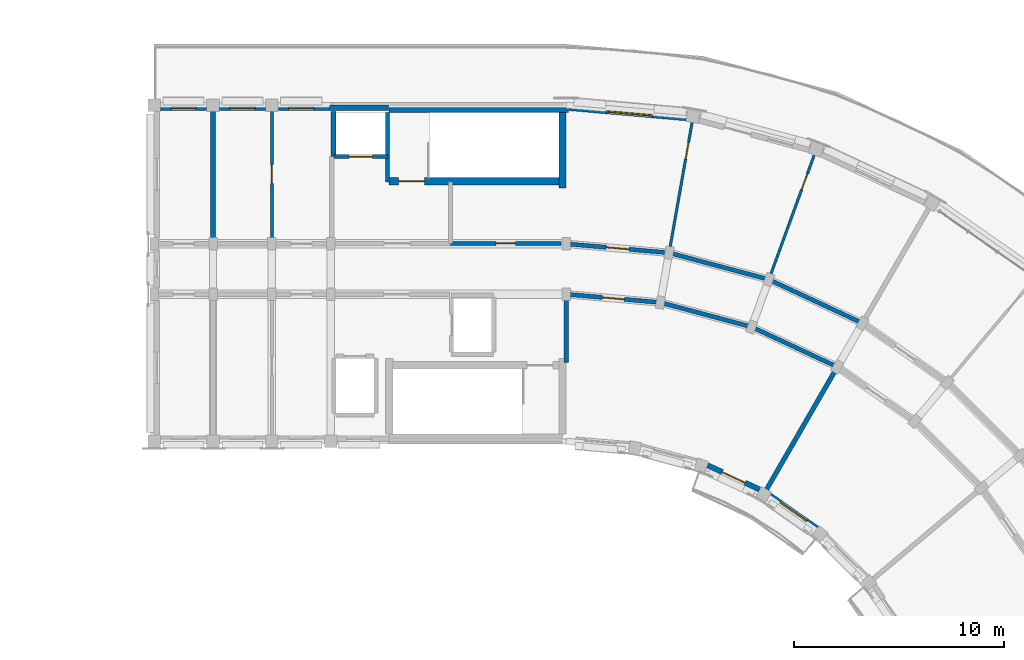
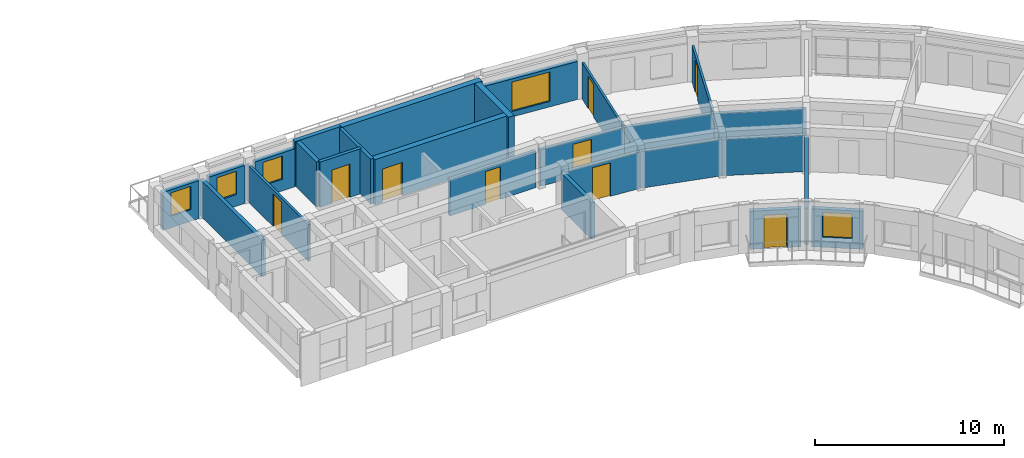
# One storey, part 18 of 32: 26 walls, 9 doors, 5 windows, 14 openings.
"""IFC4 building model written with IfcOpenShell, lengths in metres."""

from ifc_helpers import new_model, si_unit, direction, frame, frame_2d, origin, place, context, subcontext, project, spatial, rectangle, extrude, material, layer, layer_set, type_object, element, fill, save


model = new_model("IFC4")

# Units and contexts
model_context = context("Model", 3, precision=1e-05, world=origin(), true_north=direction((0.0, 1.0)))
body_context = subcontext(model_context, "Body", "Model", "MODEL_VIEW")
ifc_project = project(units=[si_unit("LENGTHUNIT", "METRE"), si_unit("AREAUNIT", "SQUARE_METRE"), si_unit("VOLUMEUNIT", "CUBIC_METRE"), si_unit("PLANEANGLEUNIT", "RADIAN"), si_unit("MASSUNIT", "GRAM", prefix="KILO")], contexts=[model_context])

# Site, building, storey
site_placement = place(None, origin())
site = spatial("IfcSite", under=ifc_project, at=site_placement, CompositionType="ELEMENT")
building_placement = place(site_placement, origin())
building = spatial("IfcBuilding", under=site, at=building_placement, Name="Kiranvali Square Residences", CompositionType="ELEMENT")
storey_placement = place(building_placement, frame((0.0, 0.0, 40.199951171875)))
storey = spatial("IfcBuildingStorey", under=building, at=storey_placement, Name="L12", CompositionType="ELEMENT", Elevation=40.199951171875)

# Wall, opening, door
ifc_material_1 = material(Name="Autoclaved aerated concrete blockwork masonry", Category="masonry")
ifc_layer_1 = layer(ifc_material_1, 0.199951171875)
ifc_layer_set_1 = layer_set([ifc_layer_1], Name="Autoclaved aerated concrete blockwork masonry")
wall_type_1 = type_object("IfcWallType", Name="WL-COR-200", PredefinedType="STANDARD", material=ifc_layer_set_1)
wall_1_placement = place(storey_placement, frame((119.800048828125, 113.60009765625, 0.0), z_axis=(0.0, 0.0, 1.0), x_axis=(0.996191949488, -0.087187153726, 0.0)))
wall_1 = element("IfcWall", 1, at=wall_1_placement, inside=storey, type_object=wall_type_1, Name="L12 architectural wall WL-L12-B-CCI-0", PredefinedType="STANDARD", context=body_context, shape_type="SweptSolid", body=[
    extrude(rectangle(XDim=4.4970703125, YDim=0.199951171875, at=frame_2d((2.24853515625, 0.0))), origin(), (0.0, 0.0, 1.0), 2.35205078125),
])
opening_1_placement = place(wall_1_placement, frame((1.728515625, 0.0, 0.0)))
opening_1 = element("IfcOpeningElement", 2, at=opening_1_placement, cuts=wall_1, Name="Opening FD-APT-60B", PredefinedType="OPENING", context=body_context, shape_type="SweptSolid", body=[
    extrude(rectangle(XDim=1.0400390625, YDim=2.14990234375, at=frame_2d((0.52001953125, 1.074951171875))), frame((0.0, 0.10986328125, 0.0), z_axis=(0.0, -1.0, 0.0), x_axis=(1.0, 0.0, 0.0)), (0.0, 0.0, 1.0), 0.219970703125),
])
ifc_material_2 = material(Name="Fire-rated acoustic hardwood and mineral-core door assembly", Category="wood")
door_type_1 = type_object("IfcDoorType", Name="DR-APT-1040", OperationType="NOTDEFINED", PredefinedType="DOOR", material=ifc_material_2)
door_1_placement = place(opening_1_placement, origin())
door_1 = element("IfcDoor", 3, at=door_1_placement, inside=storey, type_object=door_type_1, Name="L12 door DR-L12-1723 (DR-APT-1040)", OperationType="SINGLE_SWING_LEFT", OverallHeight=2.14990234375, OverallWidth=1.0400390625, PredefinedType="DOOR", context=body_context, shape_type="SweptSolid", body=[
    extrude(rectangle(XDim=1.0400390625, YDim=2.14990234375, at=frame_2d((0.52001953125, 1.074951171875))), frame((0.0, 0.02490234375, 0.0), z_axis=(0.0, -1.0, 0.0), x_axis=(1.0, 0.0, 0.0)), (0.0, 0.0, 1.0), 0.050048828125),
])
fill(opening_1, door_1)

wall_2_placement = place(storey_placement, frame((119.800048828125, 116.0, 0.0), z_axis=(0.0, 0.0, 1.0), x_axis=(0.996193663584, -0.087167566415, 0.0)))
wall_2 = element("IfcWall", 4, at=wall_2_placement, inside=storey, type_object=wall_type_1, Name="L12 architectural wall WL-L12-B-CCO-0", PredefinedType="STANDARD", context=body_context, shape_type="SweptSolid", body=[
    extrude(rectangle(XDim=4.91552734375, YDim=0.199951171875, at=frame_2d((2.457763671875, 0.0))), origin(), (0.0, 0.0, 1.0), 2.35205078125),
])
opening_2_placement = place(wall_2_placement, frame((1.917724609375, 0.0, 0.0)))
opening_2 = element("IfcOpeningElement", 5, at=opening_2_placement, cuts=wall_2, Name="Opening FD-APT-60C", PredefinedType="OPENING", context=body_context, shape_type="SweptSolid", body=[
    extrude(rectangle(XDim=1.080078125, YDim=2.14990234375, at=frame_2d((0.5400390625, 1.074951171875))), frame((0.0, 0.10986328125, 0.0), z_axis=(0.0, -1.0, 0.0), x_axis=(1.0, 0.0, 0.0)), (0.0, 0.0, 1.0), 0.219970703125),
])
door_type_2 = type_object("IfcDoorType", Name="DR-APT-1080", OperationType="NOTDEFINED", PredefinedType="DOOR", material=ifc_material_2)
door_2_placement = place(opening_2_placement, origin())
door_2 = element("IfcDoor", 6, at=door_2_placement, inside=storey, type_object=door_type_2, Name="L12 door DR-L12-1719 (DR-APT-1080)", OperationType="SINGLE_SWING_LEFT", OverallHeight=2.14990234375, OverallWidth=1.080078125, PredefinedType="DOOR", context=body_context, shape_type="SweptSolid", body=[
    extrude(rectangle(XDim=1.080078125, YDim=2.14990234375, at=frame_2d((0.5400390625, 1.074951171875))), frame((0.0, 0.02490234375, 0.0), z_axis=(0.0, -1.0, 0.0), x_axis=(1.0, 0.0, 0.0)), (0.0, 0.0, 1.0), 0.050048828125),
])
fill(opening_2, door_2)

# Walls
wall_3_placement = place(storey_placement, frame((124.280029296875, 113.2080078125, 0.0), z_axis=(0.0, 0.0, 1.0), x_axis=(0.965934240054, -0.258787642463, 0.0)))
element("IfcWall", 7, at=wall_3_placement, inside=storey, type_object=wall_type_1, Name="L12 architectural wall WL-L12-B-CCI-1", PredefinedType="STANDARD", context=body_context, shape_type="SweptSolid", body=[
    extrude(rectangle(XDim=4.497314453125, YDim=0.199951171875, at=frame_2d((2.24853515625, 0.0))), origin(), (0.0, 0.0, 1.0), 2.35205078125),
])
wall_4_placement = place(storey_placement, frame((124.69677734375, 115.571533203125, 0.0), z_axis=(0.0, 0.0, 1.0), x_axis=(0.965930095386, -0.258803112091, 0.0)))
element("IfcWall", 8, at=wall_4_placement, inside=storey, type_object=wall_type_1, Name="L12 architectural wall WL-L12-B-CCO-1", PredefinedType="STANDARD", context=body_context, shape_type="SweptSolid", body=[
    extrude(rectangle(XDim=4.915771484375, YDim=0.199951171875, at=frame_2d((2.4580078125, 0.0))), origin(), (0.0, 0.0, 1.0), 2.35205078125),
])
wall_5_placement = place(storey_placement, frame((128.6240234375, 112.044189453125, 0.0), z_axis=(0.0, 0.0, 1.0), x_axis=(0.906307919131, -0.422617978463, 0.0)))
element("IfcWall", 9, at=wall_5_placement, inside=storey, type_object=wall_type_1, Name="L12 architectural wall WL-L12-B-CCI-2", PredefinedType="STANDARD", context=body_context, shape_type="SweptSolid", body=[
    extrude(rectangle(XDim=4.497314453125, YDim=0.199951171875, at=frame_2d((2.24853515625, 0.0))), origin(), (0.0, 0.0, 1.0), 2.35205078125),
])
wall_6_placement = place(storey_placement, frame((129.445068359375, 114.29931640625, 0.0), z_axis=(0.0, 0.0, 1.0), x_axis=(0.906302381024, -0.422629854778, 0.0)))
element("IfcWall", 10, at=wall_6_placement, inside=storey, type_object=wall_type_1, Name="L12 architectural wall WL-L12-B-CCO-2", PredefinedType="STANDARD", context=body_context, shape_type="SweptSolid", body=[
    extrude(rectangle(XDim=4.915283203125, YDim=0.199951171875, at=frame_2d((2.45751953125, 0.0))), origin(), (0.0, 0.0, 1.0), 2.35205078125),
])
ifc_layer_2 = layer(ifc_material_1, 0.219970703125)
ifc_layer_set_2 = layer_set([ifc_layer_2], Name="Autoclaved aerated concrete blockwork masonry")
wall_type_2 = type_object("IfcWallType", Name="WL-DEM-220", PredefinedType="STANDARD", material=ifc_layer_set_2)
wall_7_placement = place(storey_placement, frame((103.0, 116.050048828125, 0.0), z_axis=(0.0, 0.0, 1.0), x_axis=(0.0, 1.0, 0.0)))
element("IfcWall", 11, at=wall_7_placement, inside=storey, type_object=wall_type_2, Name="L12 architectural wall WL-L12-B-A1TO1-2", PredefinedType="STANDARD", context=body_context, shape_type="SweptSolid", body=[
    extrude(rectangle(XDim=6.530029296875, YDim=0.219970703125, at=frame_2d((3.26513671875, 0.0))), origin(), (0.0, 0.0, 1.0), 2.35205078125),
])
wall_8_placement = place(storey_placement, frame((119.800048828125, 110.35009765625, 0.0), z_axis=(0.0, 0.0, 1.0), x_axis=(0.0, 1.0, 0.0)))
element("IfcWall", 12, at=wall_8_placement, inside=storey, type_object=wall_type_2, Name="L12 architectural wall WL-L12-B-RADI-0", PredefinedType="STANDARD", context=body_context, shape_type="SweptSolid", body=[
    extrude(rectangle(XDim=3.199951171875, YDim=0.219970703125, at=frame_2d((1.60009765625, 0.0))), origin(), (0.0, 0.0, 1.0), 2.35205078125),
])
wall_9_placement = place(storey_placement, frame((129.300048828125, 104.25439453125, 0.0), z_axis=(0.0, 0.0, 1.0), x_axis=(0.499997969693, 0.866026575979, 0.0)))
element("IfcWall", 13, at=wall_9_placement, inside=storey, type_object=wall_type_2, Name="L12 architectural wall WL-L12-B-RADI-3", PredefinedType="STANDARD", context=body_context, shape_type="SweptSolid", body=[
    extrude(rectangle(XDim=6.75, YDim=0.219970703125, at=frame_2d((3.375, 0.0))), origin(), (0.0, 0.0, 1.0), 2.35205078125),
])

# Wall, opening, window
ifc_material_3 = material(Name="Breathable lime-rendered clay brick masonry", Category="masonry")
ifc_layer_3 = layer(ifc_material_3, 0.25)
ifc_layer_set_3 = layer_set([ifc_layer_3], Name="Breathable lime-rendered clay brick masonry")
wall_type_3 = type_object("IfcWallType", Name="WL-EXT-250", PredefinedType="STANDARD", material=ifc_layer_set_3)
wall_10_placement = place(storey_placement, frame((119.93359375, 122.462890625, 0.0), z_axis=(0.0, 0.0, 1.0), x_axis=(0.996192628107, -0.087179399543, 0.0)))
wall_10 = element("IfcWall", 14, at=wall_10_placement, inside=storey, type_object=wall_type_3, Name="L12 exterior wall B-L12-CRV-00", PredefinedType="STANDARD", context=body_context, shape_type="SweptSolid", body=[
    extrude(rectangle(XDim=5.59521484375, YDim=0.25, at=frame_2d((2.797607421875, 0.0))), origin(), (0.0, 0.0, 1.0), 2.4521484375),
])
opening_3_placement = place(wall_10_placement, frame((1.7880859375, 0.0, 0.35205078125)))
opening_3 = element("IfcOpeningElement", 15, at=opening_3_placement, cuts=wall_10, Name="Opening W-20", PredefinedType="OPENING", context=body_context, shape_type="SweptSolid", body=[
    extrude(rectangle(XDim=2.199951171875, YDim=1.89990234375, at=frame_2d((1.10009765625, 0.949951171875))), frame((0.0, 0.135009765625, 0.0), z_axis=(0.0, -1.0, 0.0), x_axis=(1.0, 0.0, 0.0)), (0.0, 0.0, 1.0), 0.27001953125),
])
ifc_material_4 = material(Name="Solar-control low-e double glazing", Category="glass")
window_type_1 = type_object("IfcWindowType", Name="WIN-TER-2200x1900", PartitioningType="TRIPLE_PANEL_VERTICAL", PredefinedType="WINDOW", material=ifc_material_4)
window_1_placement = place(opening_3_placement, origin())
window_1 = element("IfcWindow", 16, at=window_1_placement, inside=storey, type_object=window_type_1, Name="L12 recessed window B-L12-CRV-00", OverallHeight=1.89990234375, OverallWidth=2.199951171875, PartitioningType="TRIPLE_PANEL_VERTICAL", PredefinedType="WINDOW", context=body_context, shape_type="SweptSolid", body=[
    extrude(rectangle(XDim=2.199951171875, YDim=1.89990234375, at=frame_2d((1.10009765625, 0.949951171875))), frame((0.0, 0.030029296875, 0.0), z_axis=(0.0, -1.0, 0.0), x_axis=(1.0, 0.0, 0.0)), (0.0, 0.0, 1.0), 0.06005859375),
])
fill(opening_3, window_1)

# Wall, opening, door
wall_11_placement = place(storey_placement, frame((126.535400390625, 105.461669921875, 0.0), z_axis=(0.0, 0.0, 1.0), x_axis=(0.906302358412, -0.422629903269, 0.0)))
wall_11 = element("IfcWall", 17, at=wall_11_placement, inside=storey, type_object=wall_type_3, Name="L12 exterior wall B-L12-GDN-02", PredefinedType="STANDARD", context=body_context, shape_type="SweptSolid", body=[
    extrude(rectangle(XDim=2.7197265625, YDim=0.25, at=frame_2d((1.35986328125, 0.0))), origin(), (0.0, 0.0, 1.0), 2.4521484375),
])
opening_4_placement = place(wall_11_placement, frame((0.759765625, 0.0, 0.0)))
opening_4 = element("IfcOpeningElement", 18, at=opening_4_placement, cuts=wall_11, Name="Opening ED-BAL-1", PredefinedType="OPENING", context=body_context, shape_type="SweptSolid", body=[
    extrude(rectangle(XDim=1.199951171875, YDim=2.14990234375, at=frame_2d((0.60009765625, 1.074951171875))), frame((0.0, 0.135009765625, 0.0), z_axis=(0.0, -1.0, 0.0), x_axis=(1.0, 0.0, 0.0)), (0.0, 0.0, 1.0), 0.27001953125),
])
ifc_material_5 = material(Name="Anodised bronze aluminium framing", Category="aluminium")
door_type_3 = type_object("IfcDoorType", Name="DR-BAL-1200", OperationType="NOTDEFINED", PredefinedType="DOOR", material=ifc_material_5)
door_3_placement = place(opening_4_placement, frame((1.199951171875, 0.0, 0.0), z_axis=(0.0, 0.0, 1.0), x_axis=(-1.0, 0.0, 0.0)))
door_3 = element("IfcDoor", 19, at=door_3_placement, inside=storey, type_object=door_type_3, Name="L12 balcony terrace door", OperationType="SINGLE_SWING_RIGHT", OverallHeight=2.14990234375, OverallWidth=1.199951171875, PredefinedType="DOOR", context=body_context, shape_type="SweptSolid", body=[
    extrude(rectangle(XDim=1.199951171875, YDim=2.14990234375, at=frame_2d((0.60009765625, 1.074951171875))), frame((0.0, 0.02490234375, 0.0), z_axis=(0.0, -1.0, 0.0), x_axis=(1.0, 0.0, 0.0)), (0.0, 0.0, 1.0), 0.050048828125),
])
fill(opening_4, door_3)

# Wall, opening, window
wall_12_placement = place(storey_placement, frame((129.5, 104.02392578125, 0.0), z_axis=(0.0, 0.0, 1.0), x_axis=(0.819126475299, -0.573612950921, 0.0)))
wall_12 = element("IfcWall", 20, at=wall_12_placement, inside=storey, type_object=wall_type_3, Name="L12 exterior wall B-L12-GDN-03", PredefinedType="STANDARD", context=body_context, shape_type="SweptSolid", body=[
    extrude(rectangle(XDim=2.7197265625, YDim=0.25, at=frame_2d((1.35986328125, 0.0))), origin(), (0.0, 0.0, 1.0), 2.4521484375),
])
opening_5_placement = place(wall_12_placement, frame((0.5849609375, 0.0, 0.652099609375)))
opening_5 = element("IfcOpeningElement", 21, at=opening_5_placement, cuts=wall_12, Name="Opening W-18", PredefinedType="OPENING", context=body_context, shape_type="SweptSolid", body=[
    extrude(rectangle(XDim=1.550048828125, YDim=1.60009765625, at=frame_2d((0.77490234375, 0.800048828125))), frame((0.0, 0.135009765625, 0.0), z_axis=(0.0, -1.0, 0.0), x_axis=(1.0, 0.0, 0.0)), (0.0, 0.0, 1.0), 0.27001953125),
])
window_type_2 = type_object("IfcWindowType", Name="WIN-GDN-1550x1600", PartitioningType="DOUBLE_PANEL_VERTICAL", PredefinedType="WINDOW", material=ifc_material_4)
window_2_placement = place(opening_5_placement, origin())
window_2 = element("IfcWindow", 22, at=window_2_placement, inside=storey, type_object=window_type_2, Name="L12 recessed window B-L12-GDN-03", OverallHeight=1.60009765625, OverallWidth=1.550048828125, PartitioningType="DOUBLE_PANEL_VERTICAL", PredefinedType="WINDOW", context=body_context, shape_type="SweptSolid", body=[
    extrude(rectangle(XDim=1.550048828125, YDim=1.60009765625, at=frame_2d((0.77490234375, 0.800048828125))), frame((0.0, 0.030029296875, 0.0), z_axis=(0.0, -1.0, 0.0), x_axis=(1.0, 0.0, 0.0)), (0.0, 0.0, 1.0), 0.06005859375),
])
fill(opening_5, window_2)

wall_13_placement = place(storey_placement, frame((108.54638671875, 122.47509765625, 0.0), z_axis=(0.0, 0.0, 1.0), x_axis=(-1.0, 0.0, 0.0)))
wall_13 = element("IfcWall", 23, at=wall_13_placement, inside=storey, type_object=wall_type_3, Name="L12 exterior wall B-L12-A1TO-0", PredefinedType="STANDARD", context=body_context, shape_type="SweptSolid", body=[
    extrude(rectangle(XDim=2.44287109375, YDim=0.25, at=frame_2d((1.221435546875, 0.0))), origin(), (0.0, 0.0, 1.0), 2.4521484375),
])
opening_6_placement = place(wall_13_placement, frame((0.74658203125, 0.0, 0.751953125)))
opening_6 = element("IfcOpeningElement", 24, at=opening_6_placement, cuts=wall_13, Name="Opening W-06", PredefinedType="OPENING", context=body_context, shape_type="SweptSolid", body=[
    extrude(rectangle(XDim=1.199951171875, YDim=1.5, at=frame_2d((0.60009765625, 0.75))), frame((0.0, 0.135009765625, 0.0), z_axis=(0.0, -1.0, 0.0), x_axis=(1.0, 0.0, 0.0)), (0.0, 0.0, 1.0), 0.27001953125),
])
window_type_3 = type_object("IfcWindowType", Name="WIN-RES-1200x1500", PartitioningType="SINGLE_PANEL", PredefinedType="WINDOW", material=ifc_material_4)
window_3_placement = place(opening_6_placement, origin())
window_3 = element("IfcWindow", 25, at=window_3_placement, inside=storey, type_object=window_type_3, Name="L12 recessed window B-L12-A1TO-0", OverallHeight=1.5, OverallWidth=1.199951171875, PartitioningType="SINGLE_PANEL", PredefinedType="WINDOW", context=body_context, shape_type="SweptSolid", body=[
    extrude(rectangle(XDim=1.199951171875, YDim=1.5, at=frame_2d((0.60009765625, 0.75))), frame((0.0, 0.030029296875, 0.0), z_axis=(0.0, -1.0, 0.0), x_axis=(1.0, 0.0, 0.0)), (0.0, 0.0, 1.0), 0.06005859375),
])
fill(opening_6, window_3)

wall_14_placement = place(storey_placement, frame((105.49658203125, 122.47509765625, 0.0), z_axis=(0.0, 0.0, 1.0), x_axis=(-1.0, 0.0, 0.0)))
wall_14 = element("IfcWall", 26, at=wall_14_placement, inside=storey, type_object=wall_type_3, Name="L12 exterior wall B-L12-A1TO-1", PredefinedType="STANDARD", context=body_context, shape_type="SweptSolid", body=[
    extrude(rectangle(XDim=2.193115234375, YDim=0.25, at=frame_2d((1.0966796875, 0.0))), origin(), (0.0, 0.0, 1.0), 2.4521484375),
])
opening_7_placement = place(wall_14_placement, frame((0.49658203125, 0.0, 0.751953125)))
opening_7 = element("IfcOpeningElement", 27, at=opening_7_placement, cuts=wall_14, Name="Opening W-06", PredefinedType="OPENING", context=body_context, shape_type="SweptSolid", body=[
    extrude(rectangle(XDim=1.199951171875, YDim=1.5, at=frame_2d((0.60009765625, 0.75))), frame((0.0, 0.135009765625, 0.0), z_axis=(0.0, -1.0, 0.0), x_axis=(1.0, 0.0, 0.0)), (0.0, 0.0, 1.0), 0.27001953125),
])
window_4_placement = place(opening_7_placement, origin())
window_4 = element("IfcWindow", 28, at=window_4_placement, inside=storey, type_object=window_type_3, Name="L12 recessed window B-L12-A1TO-1", OverallHeight=1.5, OverallWidth=1.199951171875, PartitioningType="SINGLE_PANEL", PredefinedType="WINDOW", context=body_context, shape_type="SweptSolid", body=[
    extrude(rectangle(XDim=1.199951171875, YDim=1.5, at=frame_2d((0.60009765625, 0.75))), frame((0.0, 0.030029296875, 0.0), z_axis=(0.0, -1.0, 0.0), x_axis=(1.0, 0.0, 0.0)), (0.0, 0.0, 1.0), 0.06005859375),
])
fill(opening_7, window_4)

wall_15_placement = place(storey_placement, frame((102.696533203125, 122.47509765625, 0.0), z_axis=(0.0, 0.0, 1.0), x_axis=(-1.0, 0.0, 0.0)))
wall_15 = element("IfcWall", 29, at=wall_15_placement, inside=storey, type_object=wall_type_3, Name="L12 exterior wall B-L12-A1TO-2", PredefinedType="STANDARD", context=body_context, shape_type="SweptSolid", body=[
    extrude(rectangle(XDim=2.193115234375, YDim=0.25, at=frame_2d((1.0966796875, 0.0))), origin(), (0.0, 0.0, 1.0), 2.4521484375),
])
opening_8_placement = place(wall_15_placement, frame((0.49658203125, 0.0, 0.751953125)))
opening_8 = element("IfcOpeningElement", 30, at=opening_8_placement, cuts=wall_15, Name="Opening W-06", PredefinedType="OPENING", context=body_context, shape_type="SweptSolid", body=[
    extrude(rectangle(XDim=1.199951171875, YDim=1.5, at=frame_2d((0.60009765625, 0.75))), frame((0.0, 0.135009765625, 0.0), z_axis=(0.0, -1.0, 0.0), x_axis=(1.0, 0.0, 0.0)), (0.0, 0.0, 1.0), 0.27001953125),
])
window_5_placement = place(opening_8_placement, origin())
window_5 = element("IfcWindow", 31, at=window_5_placement, inside=storey, type_object=window_type_3, Name="L12 recessed window B-L12-A1TO-2", OverallHeight=1.5, OverallWidth=1.199951171875, PartitioningType="SINGLE_PANEL", PredefinedType="WINDOW", context=body_context, shape_type="SweptSolid", body=[
    extrude(rectangle(XDim=1.199951171875, YDim=1.5, at=frame_2d((0.60009765625, 0.75))), frame((0.0, 0.030029296875, 0.0), z_axis=(0.0, -1.0, 0.0), x_axis=(1.0, 0.0, 0.0)), (0.0, 0.0, 1.0), 0.06005859375),
])
fill(opening_8, window_5)

# Wall, opening, door
ifc_layer_4 = layer(ifc_material_1, 0.199951171875)
ifc_layer_set_4 = layer_set([ifc_layer_4], Name="Autoclaved aerated concrete blockwork masonry")
wall_type_4 = type_object("IfcWallType", Name="WL-FFL-200", PredefinedType="STANDARD", material=ifc_layer_set_4)
wall_16_placement = place(storey_placement, frame((111.300048828125, 120.14990234375, 0.0), z_axis=(0.0, 0.0, 1.0), x_axis=(-1.0, 0.0, 0.0)))
wall_16 = element("IfcWall", 32, at=wall_16_placement, inside=storey, type_object=wall_type_4, Name="L12 architectural wall WL-L12-B-FF-LFT", PredefinedType="STANDARD", context=body_context, shape_type="SweptSolid", body=[
    extrude(rectangle(XDim=2.550048828125, YDim=0.199951171875, at=frame_2d((1.27490234375, 0.0))), origin(), (0.0, 0.0, 1.0), 2.91015625),
])
opening_9_placement = place(wall_16_placement, frame((0.72509765625, 0.0, 0.0)))
opening_9 = element("IfcOpeningElement", 33, at=opening_9_placement, cuts=wall_16, Name="Opening LD-FF-110", PredefinedType="OPENING", context=body_context, shape_type="SweptSolid", body=[
    extrude(rectangle(XDim=1.10009765625, YDim=2.14990234375, at=frame_2d((0.550048828125, 1.074951171875))), frame((0.0, 0.10986328125, 0.0), z_axis=(0.0, -1.0, 0.0), x_axis=(1.0, 0.0, 0.0)), (0.0, 0.0, 1.0), 0.219970703125),
])
door_type_4 = type_object("IfcDoorType", Name="DR-LIFT-FF-1100", OperationType="SLIDING_TO_LEFT", PredefinedType="DOOR", material=ifc_material_2)
door_4_placement = place(opening_9_placement, origin())
door_4 = element("IfcDoor", 34, at=door_4_placement, inside=storey, type_object=door_type_4, Name="L12 door DR-L12-1699 (DR-LIFT-FF-1100)", OperationType="SLIDING_TO_LEFT", OverallHeight=2.14990234375, OverallWidth=1.10009765625, PredefinedType="DOOR", context=body_context, shape_type="SweptSolid", body=[
    extrude(rectangle(XDim=1.10009765625, YDim=2.14990234375, at=frame_2d((0.550048828125, 1.074951171875))), frame((0.0, 0.02490234375, 0.0), z_axis=(0.0, -1.0, 0.0), x_axis=(1.0, 0.0, 0.0)), (0.0, 0.0, 1.0), 0.050048828125),
])
fill(opening_9, door_4)

ifc_material_6 = material(Name="Acoustic gypsum board drylined partition", Category="gypsum")
ifc_layer_5 = layer(ifc_material_6, 0.125)
ifc_layer_set_5 = layer_set([ifc_layer_5], Name="Acoustic gypsum board drylined partition")
wall_type_5 = type_object("IfcWallType", Name="WL-PRT-125", PredefinedType="PARTITIONING", material=ifc_layer_set_5)
wall_17_placement = place(storey_placement, frame((124.71435546875, 115.670166015625, 0.0), z_axis=(0.0, 0.0, 1.0), x_axis=(0.173646504755, 0.98480804799, 0.0)))
wall_17 = element("IfcWall", 35, at=wall_17_placement, inside=storey, type_object=wall_type_5, Name="L12 architectural wall WL-L12-B-RADO-1", PredefinedType="PARTITIONING", context=body_context, shape_type="SweptSolid", body=[
    extrude(rectangle(XDim=6.219970703125, YDim=0.125, at=frame_2d((3.10986328125, 0.0))), origin(), (0.0, 0.0, 1.0), 2.35205078125),
])
opening_10_placement = place(wall_17_placement, frame((4.44970703125, 0.0, 0.0)))
opening_10 = element("IfcOpeningElement", 36, at=opening_10_placement, cuts=wall_17, Name="Opening ID-WET", PredefinedType="OPENING", context=body_context, shape_type="SweptSolid", body=[
    extrude(rectangle(XDim=0.800048828125, YDim=2.10009765625, at=frame_2d((0.39990234375, 1.050048828125))), frame((0.0, 0.072509765625, 0.0), z_axis=(0.0, -1.0, 0.0), x_axis=(1.0, 0.0, 0.0)), (0.0, 0.0, 1.0), 0.14501953125),
])
ifc_material_7 = material(Name="Solid seasoned teak hardwood joinery", Category="wood")
door_type_5 = type_object("IfcDoorType", Name="DR-WET-800", OperationType="NOTDEFINED", PredefinedType="DOOR", material=ifc_material_7)
door_5_placement = place(opening_10_placement, frame((0.800048828125, 0.0, 0.0), z_axis=(0.0, 0.0, 1.0), x_axis=(-1.0, 0.0, 0.0)))
door_5 = element("IfcDoor", 37, at=door_5_placement, inside=storey, type_object=door_type_5, Name="L12 door DR-L12-1714 (DR-WET-800)", OperationType="SINGLE_SWING_RIGHT", OverallHeight=2.10009765625, OverallWidth=0.800048828125, PredefinedType="DOOR", context=body_context, shape_type="SweptSolid", body=[
    extrude(rectangle(XDim=0.800048828125, YDim=2.10009765625, at=frame_2d((0.39990234375, 1.050048828125))), frame((0.0, 0.02490234375, 0.0), z_axis=(0.0, -1.0, 0.0), x_axis=(1.0, 0.0, 0.0)), (0.0, 0.0, 1.0), 0.050048828125),
])
fill(opening_10, door_5)

wall_18_placement = place(storey_placement, frame((129.479248046875, 114.393310546875, 0.0), z_axis=(0.0, 0.0, 1.0), x_axis=(0.341992021352, 0.939702855871, 0.0)))
wall_18 = element("IfcWall", 38, at=wall_18_placement, inside=storey, type_object=wall_type_5, Name="L12 architectural wall WL-L12-B-RADO-2", PredefinedType="PARTITIONING", context=body_context, shape_type="SweptSolid", body=[
    extrude(rectangle(XDim=6.219970703125, YDim=0.125, at=frame_2d((3.10986328125, 0.0))), origin(), (0.0, 0.0, 1.0), 2.35205078125),
])
opening_11_placement = place(wall_18_placement, frame((4.44970703125, 0.0, 0.0)))
opening_11 = element("IfcOpeningElement", 39, at=opening_11_placement, cuts=wall_18, Name="Opening ID-WET", PredefinedType="OPENING", context=body_context, shape_type="SweptSolid", body=[
    extrude(rectangle(XDim=0.800048828125, YDim=2.10009765625, at=frame_2d((0.39990234375, 1.050048828125))), frame((0.0, 0.072509765625, 0.0), z_axis=(0.0, -1.0, 0.0), x_axis=(1.0, 0.0, 0.0)), (0.0, 0.0, 1.0), 0.14501953125),
])
door_6_placement = place(opening_11_placement, origin())
door_6 = element("IfcDoor", 40, at=door_6_placement, inside=storey, type_object=door_type_5, Name="L12 door DR-L12-1715 (DR-WET-800)", OperationType="SINGLE_SWING_LEFT", OverallHeight=2.10009765625, OverallWidth=0.800048828125, PredefinedType="DOOR", context=body_context, shape_type="SweptSolid", body=[
    extrude(rectangle(XDim=0.800048828125, YDim=2.10009765625, at=frame_2d((0.39990234375, 1.050048828125))), frame((0.0, 0.02490234375, 0.0), z_axis=(0.0, -1.0, 0.0), x_axis=(1.0, 0.0, 0.0)), (0.0, 0.0, 1.0), 0.050048828125),
])
fill(opening_11, door_6)

ifc_layer_6 = layer(ifc_material_6, 0.14990234375)
ifc_layer_set_6 = layer_set([ifc_layer_6], Name="Acoustic gypsum board drylined partition")
wall_type_6 = type_object("IfcWallType", Name="WL-PRT-150", PredefinedType="PARTITIONING", material=ifc_layer_set_6)
wall_19_placement = place(storey_placement, frame((105.800048828125, 116.050048828125, 0.0), z_axis=(0.0, 0.0, 1.0), x_axis=(0.0, 1.0, 0.0)))
wall_19 = element("IfcWall", 41, at=wall_19_placement, inside=storey, type_object=wall_type_6, Name="L12 architectural wall WL-L12-B-A1TO1-1", PredefinedType="PARTITIONING", context=body_context, shape_type="SweptSolid", body=[
    extrude(rectangle(XDim=6.530029296875, YDim=0.14990234375, at=frame_2d((3.26513671875, 0.0))), origin(), (0.0, 0.0, 1.0), 2.35205078125),
])
opening_12_placement = place(wall_19_placement, frame((2.81494140625, 0.0, 0.0)))
opening_12 = element("IfcOpeningElement", 42, at=opening_12_placement, cuts=wall_19, Name="Opening ID-1", PredefinedType="OPENING", context=body_context, shape_type="SweptSolid", body=[
    extrude(rectangle(XDim=0.89990234375, YDim=2.10009765625, at=frame_2d((0.449951171875, 1.050048828125))), frame((0.0, 0.0849609375, 0.0), z_axis=(0.0, -1.0, 0.0), x_axis=(1.0, 0.0, 0.0)), (0.0, 0.0, 1.0), 0.169921875),
])
door_type_6 = type_object("IfcDoorType", Name="DR-INT-900", OperationType="NOTDEFINED", PredefinedType="DOOR", material=ifc_material_7)
door_7_placement = place(opening_12_placement, origin())
door_7 = element("IfcDoor", 43, at=door_7_placement, inside=storey, type_object=door_type_6, Name="L12 door DR-L12-1713 (DR-INT-900)", OperationType="SINGLE_SWING_LEFT", OverallHeight=2.10009765625, OverallWidth=0.89990234375, PredefinedType="DOOR", context=body_context, shape_type="SweptSolid", body=[
    extrude(rectangle(XDim=0.89990234375, YDim=2.10009765625, at=frame_2d((0.449951171875, 1.050048828125))), frame((0.0, 0.02490234375, 0.0), z_axis=(0.0, -1.0, 0.0), x_axis=(1.0, 0.0, 0.0)), (0.0, 0.0, 1.0), 0.050048828125),
])
fill(opening_12, door_7)

ifc_layer_7 = layer(ifc_material_1, 0.199951171875)
ifc_layer_set_7 = layer_set([ifc_layer_7], Name="Autoclaved aerated concrete blockwork masonry")
wall_type_7 = type_object("IfcWallType", Name="WL-SHF-200", PredefinedType="STANDARD", material=ifc_layer_set_7)
wall_20_placement = place(storey_placement, frame((119.550048828125, 116.02001953125, 0.0), z_axis=(0.0, 0.0, 1.0), x_axis=(-1.0, 0.0, 0.0)))
wall_20 = element("IfcWall", 44, at=wall_20_placement, inside=storey, type_object=wall_type_7, Name="L12 architectural wall WL-L12-B-RSR-COR", PredefinedType="STANDARD", context=body_context, shape_type="SweptSolid", body=[
    extrude(rectangle(XDim=5.25, YDim=0.199951171875, at=frame_2d((2.625, 0.0))), origin(), (0.0, 0.0, 1.0), 2.35205078125),
])
opening_13_placement = place(wall_20_placement, frame((2.1650390625, 0.0, 0.0)))
opening_13 = element("IfcOpeningElement", 45, at=opening_13_placement, cuts=wall_20, Name="Opening FD-SVC-120", PredefinedType="OPENING", context=body_context, shape_type="SweptSolid", body=[
    extrude(rectangle(XDim=0.919921875, YDim=2.10009765625, at=frame_2d((0.4599609375, 1.050048828125))), frame((0.0, 0.10986328125, 0.0), z_axis=(0.0, -1.0, 0.0), x_axis=(1.0, 0.0, 0.0)), (0.0, 0.0, 1.0), 0.219970703125),
])
door_type_7 = type_object("IfcDoorType", Name="DR-SVC-900", OperationType="NOTDEFINED", PredefinedType="DOOR", material=ifc_material_2)
door_8_placement = place(opening_13_placement, frame((0.919921875, 0.0, 0.0), z_axis=(0.0, 0.0, 1.0), x_axis=(-1.0, 0.0, 0.0)))
door_8 = element("IfcDoor", 46, at=door_8_placement, inside=storey, type_object=door_type_7, Name="L12 door DR-L12-1698 (DR-SVC-900)", OperationType="SINGLE_SWING_RIGHT", OverallHeight=2.10009765625, OverallWidth=0.919921875, PredefinedType="DOOR", context=body_context, shape_type="SweptSolid", body=[
    extrude(rectangle(XDim=0.919921875, YDim=2.10009765625, at=frame_2d((0.4599609375, 1.050048828125))), frame((0.0, 0.02490234375, 0.0), z_axis=(0.0, -1.0, 0.0), x_axis=(1.0, 0.0, 0.0)), (0.0, 0.0, 1.0), 0.050048828125),
])
fill(opening_13, door_8)

# Walls
wall_21_placement = place(storey_placement, frame((111.300048828125, 118.949951171875, 0.0), z_axis=(0.0, 0.0, 1.0), x_axis=(0.0, 1.0, 0.0)))
element("IfcWall", 47, at=wall_21_placement, inside=storey, type_object=wall_type_7, Name="L12 architectural wall WL-L12-B-FF-SHF", PredefinedType="STANDARD", context=body_context, shape_type="SweptSolid", body=[
    extrude(rectangle(XDim=3.300048828125, YDim=0.199951171875, at=frame_2d((1.64990234375, 0.0))), origin(), (0.0, 0.0, 1.0), 2.91015625),
])
ifc_material_8 = material(Name="Concrete M45 (45 MPa)", Category="concrete")
ifc_layer_8 = layer(ifc_material_8, 0.25)
ifc_layer_set_8 = layer_set([ifc_layer_8], Name="Concrete M45 (45 MPa)")
wall_type_8 = type_object("IfcWallType", Name="WL-SHR-250", PredefinedType="SHEAR", material=ifc_layer_set_8)
wall_22_placement = place(storey_placement, frame((111.35009765625, 122.47509765625, 0.0), z_axis=(0.0, 0.0, 1.0), x_axis=(-1.0, 0.0, 0.0)))
element("IfcWall", 48, at=wall_22_placement, inside=storey, type_object=wall_type_8, Name="Block B core shear wall SW-BFF-BK-L12", PredefinedType="SHEAR", context=body_context, shape_type="SweptSolid", body=[
    extrude(rectangle(XDim=2.800048828125, YDim=0.25, at=frame_2d((1.39990234375, 0.0))), origin(), (0.0, 0.0, 1.0), 2.91015625),
])
wall_23_placement = place(storey_placement, frame((108.72509765625, 120.14990234375, 0.0), z_axis=(0.0, 0.0, 1.0), x_axis=(0.0, 1.0, 0.0)))
element("IfcWall", 49, at=wall_23_placement, inside=storey, type_object=wall_type_8, Name="Block B core shear wall SW-BFF-SD-L12", PredefinedType="SHEAR", context=body_context, shape_type="SweptSolid", body=[
    extrude(rectangle(XDim=2.150146484375, YDim=0.25, at=frame_2d((1.0751953125, 0.0))), origin(), (0.0, 0.0, 1.0), 2.91015625),
])
ifc_layer_9 = layer(ifc_material_8, 0.320068359375)
ifc_layer_set_9 = layer_set([ifc_layer_9], Name="Concrete M45 (45 MPa)")
wall_type_9 = type_object("IfcWallType", Name="WL-SHR-320", PredefinedType="SHEAR", material=ifc_layer_set_9)
wall_24_placement = place(storey_placement, frame((119.919921875, 122.425048828125, 0.0), z_axis=(0.0, 0.0, 1.0), x_axis=(-1.0, 0.0, 0.0)))
element("IfcWall", 50, at=wall_24_placement, inside=storey, type_object=wall_type_9, Name="Block B core shear wall SW-B1-OUT-L12", PredefinedType="SHEAR", context=body_context, shape_type="SweptSolid", body=[
    extrude(rectangle(XDim=8.544921875, YDim=0.35009765625, at=frame_2d((4.2724609375, 0.0))), origin(), (0.0, 0.0, 1.0), 2.91015625),
])

# Wall, opening, door
wall_25_placement = place(storey_placement, frame((119.449951171875, 118.97509765625, 0.0), z_axis=(0.0, 0.0, 1.0), x_axis=(-1.0, 0.0, 0.0)))
wall_25 = element("IfcWall", 51, at=wall_25_placement, inside=storey, type_object=wall_type_9, Name="Block B core shear wall SW-B1-IN-L12", PredefinedType="SHEAR", context=body_context, shape_type="SweptSolid", body=[
    extrude(rectangle(XDim=8.074951171875, YDim=0.35009765625, at=frame_2d((4.03759765625, 0.0))), origin(), (0.0, 0.0, 1.0), 2.91015625),
])
opening_14_placement = place(wall_25_placement, frame((6.3798828125, 0.0, 0.0)))
opening_14 = element("IfcOpeningElement", 52, at=opening_14_placement, cuts=wall_25, Name="Opening FD-ST-120", PredefinedType="OPENING", context=body_context, shape_type="SweptSolid", body=[
    extrude(rectangle(XDim=1.239990234375, YDim=2.14990234375, at=frame_2d((0.6201171875, 1.074951171875))), frame((0.0, 0.18505859375, 0.0), z_axis=(0.0, -1.0, 0.0), x_axis=(1.0, 0.0, 0.0)), (0.0, 0.0, 1.0), 0.3701171875),
])
door_type_8 = type_object("IfcDoorType", Name="DR-FD120-1200", OperationType="NOTDEFINED", PredefinedType="DOOR", material=ifc_material_2)
door_9_placement = place(opening_14_placement, frame((1.239990234375, 0.0, 0.0), z_axis=(0.0, 0.0, 1.0), x_axis=(-1.0, 0.0, 0.0)))
door_9 = element("IfcDoor", 53, at=door_9_placement, inside=storey, type_object=door_type_8, Name="L12 door DR-L12-1700 (DR-FD120-1200)", OperationType="SINGLE_SWING_RIGHT", OverallHeight=2.14990234375, OverallWidth=1.239990234375, PredefinedType="DOOR", context=body_context, shape_type="SweptSolid", body=[
    extrude(rectangle(XDim=1.239990234375, YDim=2.14990234375, at=frame_2d((0.6201171875, 1.074951171875))), frame((0.0, 0.02490234375, 0.0), z_axis=(0.0, -1.0, 0.0), x_axis=(1.0, 0.0, 0.0)), (0.0, 0.0, 1.0), 0.050048828125),
])
fill(opening_14, door_9)

# Wall
wall_26_placement = place(storey_placement, frame((119.625, 118.64990234375, 0.0), z_axis=(0.0, 0.0, 1.0), x_axis=(0.0, 1.0, 0.0)))
element("IfcWall", 54, at=wall_26_placement, inside=storey, type_object=wall_type_9, Name="Block B core shear wall SW-B1-FAR-L12", PredefinedType="SHEAR", context=body_context, shape_type="SweptSolid", body=[
    extrude(rectangle(XDim=3.60009765625, YDim=0.35009765625, at=frame_2d((1.800048828125, 0.0))), origin(), (0.0, 0.0, 1.0), 2.91015625),
])

save(model, "model.ifc")
